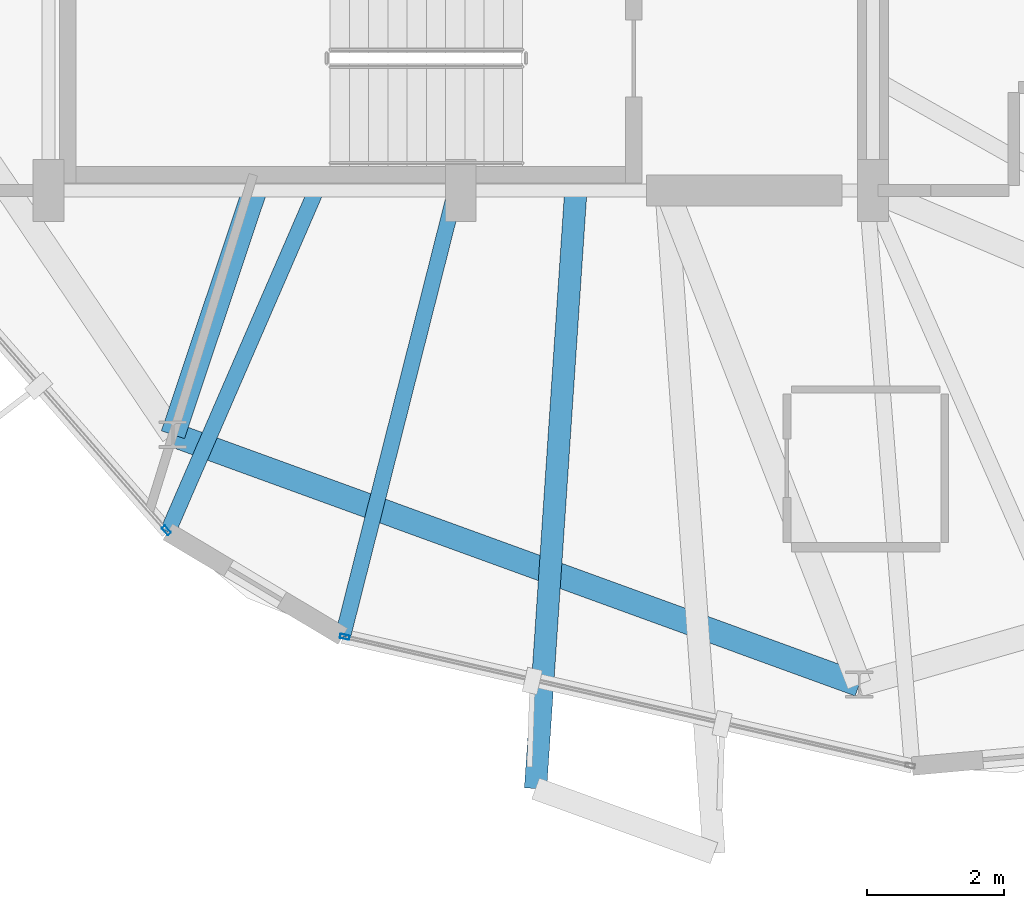
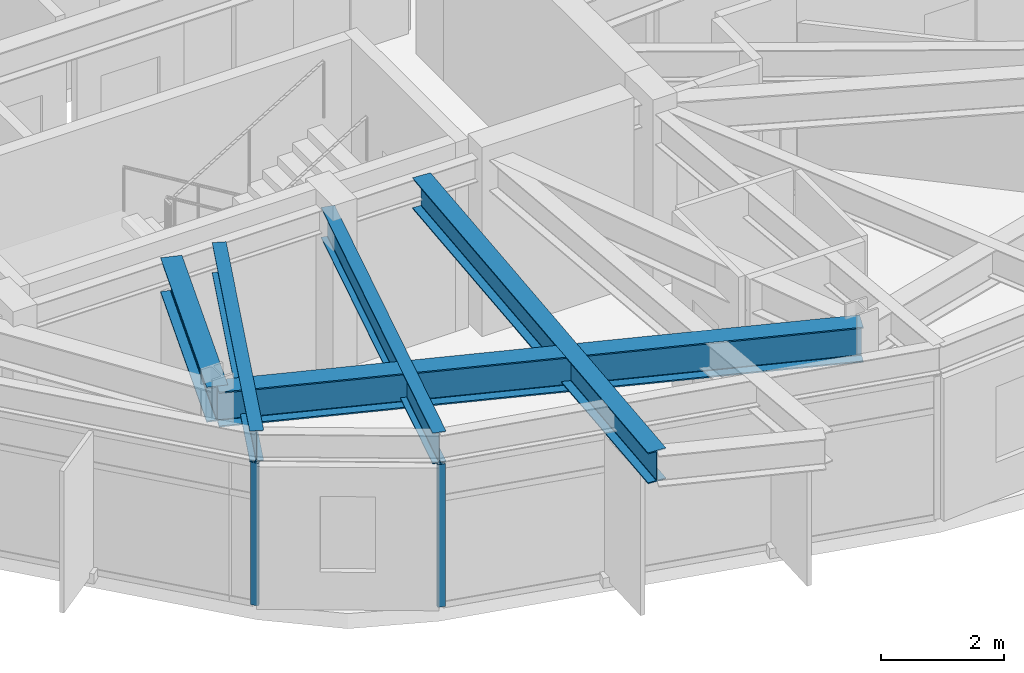
# One storey, part 2 of 23: 5 beams, 2 members, 2 elements without a shape of their own.
"""IFC4 building model written with IfcOpenShell, lengths in metres."""

import ifcopenshell
import ifcopenshell.guid

model = None  # the IFC model being written
_history = None  # IfcOwnerHistory: only IFC2X3 demands one
_inside = {}  # id of a spatial element -> (the spatial element, [elements in it])
_under = {}  # id of a project, library or spatial element -> (it, [spatial elements below it])
_declared = {}  # id of a project -> (the project, [libraries it declares])
_typed = {}  # id of a type object -> (the type object, [elements of that type])
_made_of = {}  # id of a material, layer set ... -> (it, [elements and type objects made of it])


def new_model(schema):
    """Start an empty IFC model of exactly this schema.

    Asked for "IFC4X3", IfcOpenShell would pick the latest addendum, in which some entities
    have other attributes; the version numbers below select the first issue.
    IFC2X3 requires an IfcOwnerHistory on every rooted entity: one is made here for all.
    """
    global model, _history
    if schema == "IFC4X3":
        model = ifcopenshell.file(schema_version=(4, 3, 0, 0))
    else:
        model = ifcopenshell.file(schema=schema)
    _inside.clear()
    _under.clear()
    _declared.clear()
    _typed.clear()
    _made_of.clear()
    _history = None
    if model.schema == "IFC2X3":
        org = make("IfcOrganization", Name="unknown")
        user = make(
            "IfcPersonAndOrganization",
            ThePerson=make("IfcPerson", FamilyName="unknown"),
            TheOrganization=org,
        )
        app = make(
            "IfcApplication",
            ApplicationDeveloper=org,
            Version="unknown",
            ApplicationFullName="unknown",
            ApplicationIdentifier="unknown",
        )
        _history = make(
            "IfcOwnerHistory",
            OwningUser=user,
            OwningApplication=app,
            ChangeAction="ADDED",
            CreationDate=0,
        )
    return model


def make(cls, **values):
    """One entity of the class cls with the attributes given. An attribute that is None is left unset."""
    return model.create_entity(
        cls, **{name: value for name, value in values.items() if value is not None}
    )


def rooted(cls, **values):
    """An entity with a GlobalId (a new one), such as an element, a storey or a relation."""
    return make(cls, GlobalId=ifcopenshell.guid.new(), OwnerHistory=_history, **values)


def si_unit(unit_type, name, prefix=None):
    """IfcSIUnit, for example si_unit("LENGTHUNIT", "METRE", prefix="MILLI")."""
    return make("IfcSIUnit", UnitType=unit_type, Prefix=prefix, Name=name)


def assignment(units):
    """IfcUnitAssignment: the units of a project."""
    return None if units is None else make("IfcUnitAssignment", Units=units)


def point(xyz):
    """IfcCartesianPoint."""
    return None if xyz is None else make("IfcCartesianPoint", Coordinates=xyz)


def direction(xyz):
    """IfcDirection."""
    return None if xyz is None else make("IfcDirection", DirectionRatios=xyz)


def frame(location, z_axis=None, x_axis=None):
    """IfcAxis2Placement3D, a coordinate frame: its origin and axes. An axis left out is left unset."""
    return make(
        "IfcAxis2Placement3D",
        Location=point(location),
        Axis=direction(z_axis),
        RefDirection=direction(x_axis),
    )


def frame_2d(location, x_axis=None):
    """IfcAxis2Placement2D, a coordinate frame in the plane: its origin and x axis."""
    return make(
        "IfcAxis2Placement2D", Location=point(location), RefDirection=direction(x_axis)
    )


def origin():
    """The frame at (0, 0, 0) with its axes left unset."""
    return frame((0.0, 0.0, 0.0))


def origin_2d():
    """The frame at (0, 0) in the plane with its x axis left unset."""
    return frame_2d((0.0, 0.0))


def place(relative_to, where):
    """IfcLocalPlacement: puts the frame where relative to a parent placement (None: the world)."""
    return make(
        "IfcLocalPlacement", PlacementRelTo=relative_to, RelativePlacement=where
    )


def context(
    kind, dimensions, precision=None, world=None, true_north=None, identifier=None
):
    """IfcGeometricRepresentationContext, for example the 3D "Model" context."""
    return make(
        "IfcGeometricRepresentationContext",
        ContextIdentifier=identifier,
        ContextType=kind,
        CoordinateSpaceDimension=dimensions,
        Precision=precision,
        WorldCoordinateSystem=world,
        TrueNorth=true_north,
    )


def subcontext(parent, identifier, kind, view, scale=None):
    """IfcGeometricRepresentationSubContext, for example "Body" below "Model"."""
    return make(
        "IfcGeometricRepresentationSubContext",
        ContextIdentifier=identifier,
        ContextType=kind,
        ParentContext=parent,
        TargetScale=scale,
        TargetView=view,
    )


def project(units=None, contexts=None):
    """IfcProject with its units and contexts."""
    return rooted(
        "IfcProject",
        Name="project",
        RepresentationContexts=contexts,
        UnitsInContext=assignment(units),
    )


def spatial(cls, under=None, at=None, **own):
    """A site, building, storey or space (cls), placed at a placement, below another one or the project."""
    s = rooted(cls, ObjectPlacement=at, **own)
    if under is not None:
        _under.setdefault(under.id(), (under, []))[1].append(s)
    return s


def profile(cls, at=None, kind="AREA", **sizes):
    """A parametric profile (cls). Its sizes go by their IFC names, for example OverallWidth=200.0."""
    return make(cls, ProfileType=kind, Position=at, **sizes)


def hollow_rectangle(**sizes):
    """IfcRectangleHollowProfileDef."""
    return profile("IfcRectangleHollowProfileDef", **sizes)


def i_section(**sizes):
    """IfcIShapeProfileDef."""
    return profile("IfcIShapeProfileDef", **sizes)


def extrude(swept, where, along, depth):
    """IfcExtrudedAreaSolid: the profile swept, set in the frame where, extruded along a direction by depth."""
    return make(
        "IfcExtrudedAreaSolid",
        SweptArea=swept,
        Position=where,
        ExtrudedDirection=direction(along),
        Depth=depth,
    )


def shape(context_of_items, identifier, shape_type, items):
    """IfcShapeRepresentation: the items that make up one representation, for example the "Body"."""
    return make(
        "IfcShapeRepresentation",
        ContextOfItems=context_of_items,
        RepresentationIdentifier=identifier,
        RepresentationType=shape_type,
        Items=items,
    )


def material(Name=None, Category=None):
    """IfcMaterial."""
    return make("IfcMaterial", Name=Name, Category=Category)


def layer(
    of_material, thickness, ventilated=None, Name=None, Category=None, Priority=None
):
    """IfcMaterialLayer: one layer of a wall or slab, of a material (None: an air gap)."""
    return make(
        "IfcMaterialLayer",
        Material=of_material,
        LayerThickness=thickness,
        IsVentilated=ventilated,
        Name=Name,
        Category=Category,
        Priority=Priority,
    )


def layer_set(layers, Name=None):
    """IfcMaterialLayerSet."""
    return make("IfcMaterialLayerSet", MaterialLayers=layers, LayerSetName=Name)


def material_profile(
    of_material, cross_section, Name=None, Category=None, Priority=None
):
    """IfcMaterialProfile: a cross section and its material."""
    return make(
        "IfcMaterialProfile",
        Name=Name,
        Material=of_material,
        Profile=cross_section,
        Priority=Priority,
        Category=Category,
    )


def profile_set(profiles, Name=None, composite=None):
    """IfcMaterialProfileSet."""
    return make(
        "IfcMaterialProfileSet",
        Name=Name,
        MaterialProfiles=profiles,
        CompositeProfile=composite,
    )


def made_of(thing, what):
    """Note that an element or type object is made of a material, layer set ...; save() writes the relation."""
    if what is not None:
        _made_of.setdefault(what.id(), (what, []))[1].append(thing)
    return thing


def type_object(cls, material=None, **own):
    """A type object (cls), such as IfcWallType, which elements share."""
    return made_of(rooted(cls, **own), material)


def element(
    cls,
    number,
    at=None,
    inside=None,
    cuts=None,
    type_object=None,
    material=None,
    context=None,
    identifier="Body",
    shape_type=None,
    held_by="IfcProductDefinitionShape",
    body=None,
    shapes=None,
    **own,
):
    """One element of the class cls, such as IfcWall. Its Tag is "e" and its number.

    at: its placement. inside: the storey or other place that contains it. cuts: it is an
    opening in that element (IfcRelVoidsElement). A single representation is given by context,
    identifier, shape_type and body (its items); several are given by shapes. held_by: the class
    of the entity that holds the representations. save() writes the other relations.
    """
    e = rooted(cls, Tag="e%d" % number, ObjectPlacement=at, **own)
    if body is not None:
        shapes = [shape(context, identifier, shape_type, body)]
    if shapes is not None:
        e.Representation = make(held_by, Representations=shapes)
    if inside is not None:
        _inside.setdefault(inside.id(), (inside, []))[1].append(e)
    if cuts is not None:
        rooted(
            "IfcRelVoidsElement", RelatingBuildingElement=cuts, RelatedOpeningElement=e
        )
    if type_object is not None:
        _typed.setdefault(type_object.id(), (type_object, []))[1].append(e)
    return made_of(e, material)


def aggregate(whole, parts):
    """IfcRelAggregates: a whole, such as a stair, and the parts it consists of."""
    return rooted("IfcRelAggregates", RelatingObject=whole, RelatedObjects=parts)


def save(model, path):
    """Write the relations noted so far, then the file.

    IfcRelAggregates (storeys below a building ...), IfcRelContainedInSpatialStructure (elements
    in a storey), IfcRelDefinesByType, IfcRelAssociatesMaterial and IfcRelDeclares: one each for
    every whole, place, type object, material and project.
    """
    for whole, parts in _under.values():
        aggregate(whole, parts)
    for where, things in _inside.values():
        rooted(
            "IfcRelContainedInSpatialStructure",
            RelatedElements=things,
            RelatingStructure=where,
        )
    for kind, things in _typed.values():
        rooted("IfcRelDefinesByType", RelatedObjects=things, RelatingType=kind)
    for what, things in _made_of.values():
        rooted("IfcRelAssociatesMaterial", RelatedObjects=things, RelatingMaterial=what)
    for by, libraries in _declared.values():
        rooted("IfcRelDeclares", RelatingContext=by, RelatedDefinitions=libraries)
    model.write(path)


model = new_model("IFC4")

# Units and contexts
model_context = context("Model", 3, precision=1e-05, world=origin(), true_north=direction((0.0, 1.0)))
body_context = subcontext(model_context, "Body", "Model", "MODEL_VIEW")
ifc_project = project(units=[si_unit("LENGTHUNIT", "METRE"), si_unit("AREAUNIT", "SQUARE_METRE"), si_unit("VOLUMEUNIT", "CUBIC_METRE"), si_unit("PLANEANGLEUNIT", "RADIAN"), si_unit("MASSUNIT", "GRAM", prefix="KILO")], contexts=[model_context])

# Site, building, storey
site_placement = place(None, origin())
site = spatial("IfcSite", under=ifc_project, at=site_placement, CompositionType="ELEMENT")
building_placement = place(site_placement, origin())
building = spatial("IfcBuilding", under=site, at=building_placement, Name="Soratama Intermodal Tower", CompositionType="ELEMENT")
storey_placement = place(building_placement, frame((0.0, 0.0, 250.0)))
storey = spatial("IfcBuildingStorey", under=building, at=storey_placement, Name="L63", CompositionType="ELEMENT", Elevation=250.0)

# Beams
ifc_material_1 = material(Name="Structural steel ASTM A992 Grade 50", Category="steel")
ifc_material_profile_1 = material_profile(ifc_material_1, i_section(OverallWidth=0.324951171875, OverallDepth=0.615966796875, WebThickness=0.013916015625, FlangeThickness=0.021484375, FilletRadius=0.013916015625, at=origin_2d()), Name="W24X117")
ifc_profile_set_1 = profile_set([ifc_material_profile_1], Name="Structural steel ASTM A992 Grade 50")
beam_type_1 = type_object("IfcBeamType", Name="BM-CANT-W24X117", PredefinedType="BEAM", material=ifc_profile_set_1)
beam_1_placement = place(storey_placement, frame((40.27197265625, 14.9599609375, 3.14208984375), z_axis=(-0.067250473664, -0.997736124329, 0.0), x_axis=(0.997736124329, -0.067250473664, 0.0)))
element("IfcBeam", 1, at=beam_1_placement, inside=storey, type_object=beam_type_1, Name="BM-L63-CANT-3-1", PredefinedType="BEAM", context=body_context, shape_type="SweptSolid", body=[
    extrude(i_section(OverallWidth=0.324951171875, OverallDepth=0.615966796875, WebThickness=0.013916015625, FlangeThickness=0.021484375, FilletRadius=0.013916015625, at=origin_2d()), origin(), (0.0, 0.0, 1.0), 8.683837890625),
])
ifc_material_2 = material(Name="Structural steel ASTM A992 Grade 50", Category="steel")
ifc_material_profile_2 = material_profile(ifc_material_2, i_section(OverallWidth=0.35498046875, OverallDepth=0.695068359375, WebThickness=0.015380859375, FlangeThickness=0.02490234375, FilletRadius=0.01611328125, at=origin_2d()), Name="W27X146")
ifc_profile_set_2 = profile_set([ifc_material_profile_2], Name="Structural steel ASTM A992 Grade 50")
beam_type_2 = type_object("IfcBeamType", Name="BM-RING-W27X146", PredefinedType="BEAM", material=ifc_profile_set_2)
beam_2_placement = place(storey_placement, frame((34.410888671875, 11.446044921875, 3.1025390625), z_axis=(0.939713598519, -0.341962501976, 0.0), x_axis=(0.341962501976, 0.939713598519, 0.0)))
element("IfcBeam", 2, at=beam_2_placement, inside=storey, type_object=beam_type_2, Name="BM-L63-RING-07", PredefinedType="BEAM", context=body_context, shape_type="SweptSolid", body=[
    extrude(i_section(OverallWidth=0.35498046875, OverallDepth=0.695068359375, WebThickness=0.015380859375, FlangeThickness=0.02490234375, FilletRadius=0.01611328125, at=origin_2d()), origin(), (0.0, 0.0, 1.0), 10.6298828125),
])
beam_3_placement = place(storey_placement, frame((35.60009765625, 15.0, 3.1025390625), z_axis=(-0.317321993996, -0.948317853953, 0.0), x_axis=(0.948317853953, -0.317321993996, 0.0)))
element("IfcBeam", 3, at=beam_3_placement, inside=storey, type_object=beam_type_2, Name="BM-L63-RAD-07", PredefinedType="BEAM", context=body_context, shape_type="SweptSolid", body=[
    extrude(i_section(OverallWidth=0.35498046875, OverallDepth=0.695068359375, WebThickness=0.015380859375, FlangeThickness=0.02490234375, FilletRadius=0.01611328125, at=origin_2d()), origin(), (0.0, 0.0, 1.0), 3.74755859375),
])
ifc_material_3 = material(Name="Structural steel ASTM A992 Grade 50", Category="steel")
ifc_material_profile_3 = material_profile(ifc_material_3, i_section(OverallWidth=0.22900390625, OverallDepth=0.612060546875, WebThickness=0.011962890625, FlangeThickness=0.01953125, FilletRadius=0.012939453125, at=origin_2d()), Name="W24X84")
ifc_profile_set_3 = profile_set([ifc_material_profile_3], Name="Structural steel ASTM A992 Grade 50")
beam_type_3 = type_object("IfcBeamType", Name="BM-TIE-W24X84", PredefinedType="BEAM", material=ifc_profile_set_3)
beam_4_placement = place(storey_placement, frame((36.47705078125, 14.962890625, 3.14404296875), z_axis=(-0.39836067287, -0.917228856017, 0.0), x_axis=(0.917228856017, -0.39836067287, 0.0)))
element("IfcBeam", 4, at=beam_4_placement, inside=storey, type_object=beam_type_3, Name="BM-L63-TIE1-05", PredefinedType="BEAM", context=body_context, shape_type="SweptSolid", body=[
    extrude(i_section(OverallWidth=0.22900390625, OverallDepth=0.612060546875, WebThickness=0.011962890625, FlangeThickness=0.01953125, FilletRadius=0.012939453125, at=origin_2d()), origin(), (0.0, 0.0, 1.0), 5.374755859375),
])
beam_5_placement = place(storey_placement, frame((38.51611328125, 14.9609375, 3.14404296875), z_axis=(-0.245479056288, -0.96940189443, 0.0), x_axis=(0.96940189443, -0.245479056288, 0.0)))
element("IfcBeam", 5, at=beam_5_placement, inside=storey, type_object=beam_type_3, Name="BM-L63-TIE0-06", PredefinedType="BEAM", context=body_context, shape_type="SweptSolid", body=[
    extrude(i_section(OverallWidth=0.22900390625, OverallDepth=0.612060546875, WebThickness=0.011962890625, FlangeThickness=0.01953125, FilletRadius=0.012939453125, at=origin_2d()), origin(), (0.0, 0.0, 1.0), 6.652587890625),
])

# Curtain wall, member
ifc_material_4 = material(Name="Double-glazed aluminium curtain wall", Category="aluminium")
ifc_layer = layer(ifc_material_4, 0.159912109375)
ifc_layer_set = layer_set([ifc_layer], Name="Double-glazed aluminium curtain wall")
curtain_wall_type = type_object("IfcCurtainWallType", Name="CW-SYS-5", PredefinedType="NOTDEFINED", material=ifc_layer_set)
curtain_wall_1_placement = place(storey_placement, origin())
curtain_wall_1 = element("IfcCurtainWall", 6, at=curtain_wall_1_placement, inside=storey, type_object=curtain_wall_type, Name="L63 Faceted Curtain Wall F05", PredefinedType="NOTDEFINED")
ifc_material_5 = material(Name="Anodised aluminium AA 6063-T6", Category="aluminium")
ifc_material_profile_4 = material_profile(ifc_material_5, hollow_rectangle(XDim=0.06494140625, YDim=0.139892578125, WallThickness=0.0048828125, InnerFilletRadius=0.0048828125, OuterFilletRadius=0.010009765625, at=origin_2d()), Name="CWM140X65X5")
ifc_profile_set_4 = profile_set([ifc_material_profile_4], Name="Anodised aluminium AA 6063-T6")
member_type = type_object("IfcMemberType", Name="MT-CWM-5", PredefinedType="MULLION", material=ifc_profile_set_4)
member_1_placement = place(storey_placement, frame((34.316162109375, 10.05517578125, 0.0), z_axis=(0.0, 0.0, 1.0), x_axis=(0.752879070103, 0.658158875805, 0.0)))
member_1 = element("IfcMember", 7, at=member_1_placement, type_object=member_type, Name="CW-5 mullion 2", PredefinedType="MULLION", context=body_context, shape_type="SweptSolid", body=[
    extrude(hollow_rectangle(XDim=0.06494140625, YDim=0.139892578125, WallThickness=0.0048828125, InnerFilletRadius=0.0048828125, OuterFilletRadius=0.010009765625, at=origin_2d()), origin(), (0.0, 0.0, 1.0), 2.8291015625),
])
aggregate(curtain_wall_1, [member_1])

curtain_wall_2_placement = place(storey_placement, origin())
curtain_wall_2 = element("IfcCurtainWall", 8, at=curtain_wall_2_placement, inside=storey, type_object=curtain_wall_type, Name="L63 Faceted Curtain Wall F06", PredefinedType="NOTDEFINED")
member_2_placement = place(storey_placement, frame((36.912109375, 8.505126953125, 0.0), z_axis=(0.0, 0.0, 1.0), x_axis=(0.222227705641, 0.97499479324, 0.0)))
member_2 = element("IfcMember", 9, at=member_2_placement, type_object=member_type, Name="CW-5 mullion 1", PredefinedType="MULLION", context=body_context, shape_type="SweptSolid", body=[
    extrude(hollow_rectangle(XDim=0.06494140625, YDim=0.139892578125, WallThickness=0.0048828125, InnerFilletRadius=0.0048828125, OuterFilletRadius=0.010009765625, at=origin_2d()), origin(), (0.0, 0.0, 1.0), 2.8291015625),
])
aggregate(curtain_wall_2, [member_2])

save(model, "model.ifc")
